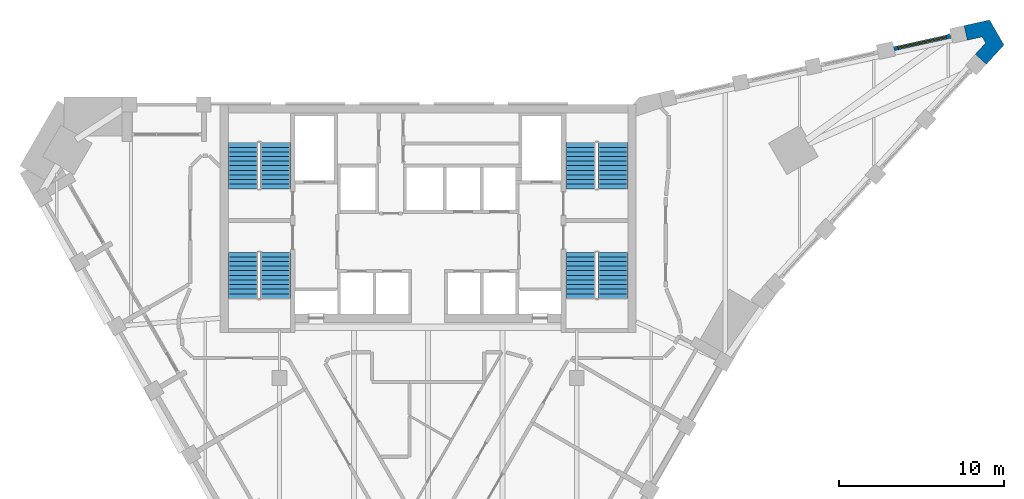
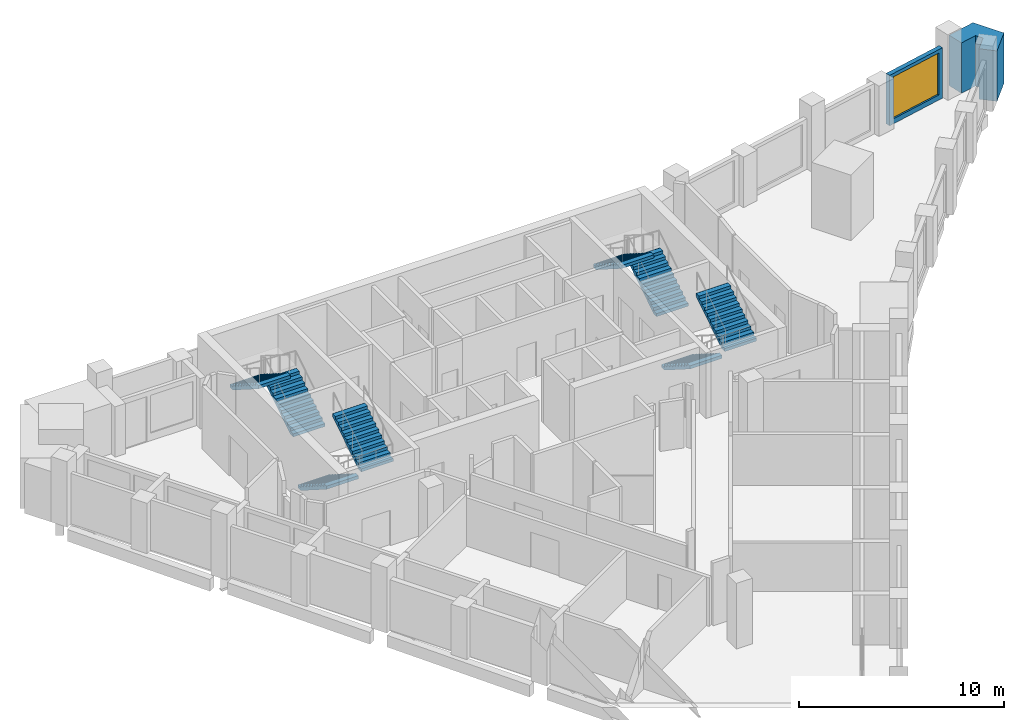
# One storey, part 7 of 8: 8 stair flights, 2 walls, 1 window, 1 opening, 4 elements without a shape of their own.
"""IFC4 building model written with IfcOpenShell, lengths in metres."""

from ifc_helpers import new_model, si_unit, direction, frame, frame_2d, origin, place, context, subcontext, project, spatial, polyline, rectangle, outline, extrude, faceted_brep, source, transform, mapped, material, layer, layer_set, type_object, element, fill, aggregate, save


model = new_model("IFC4")

# Units and contexts
model_context = context("Model", 3, precision=1e-05, world=origin(), true_north=direction((0.0, 1.0)))
body_context = subcontext(model_context, "Body", "Model", "MODEL_VIEW")
ifc_project = project(units=[si_unit("LENGTHUNIT", "METRE"), si_unit("AREAUNIT", "SQUARE_METRE"), si_unit("VOLUMEUNIT", "CUBIC_METRE"), si_unit("PLANEANGLEUNIT", "RADIAN"), si_unit("MASSUNIT", "GRAM", prefix="KILO")], contexts=[model_context])

# Site, building, storey
site_placement = place(None, origin())
site = spatial("IfcSite", under=ifc_project, at=site_placement, CompositionType="ELEMENT")
building_placement = place(site_placement, origin())
building = spatial("IfcBuilding", under=site, at=building_placement, Name="Calabash Gate Tower", CompositionType="ELEMENT")
storey_placement = place(building_placement, frame((0.0, 0.0, 259.89990234375)))
storey = spatial("IfcBuildingStorey", under=building, at=storey_placement, Name="L62", CompositionType="ELEMENT", Elevation=259.89990234375)

# Wall
ifc_material_1 = material(Name="Terracotta brick masonry, exposed face", Category="masonry")
ifc_layer_1 = layer(ifc_material_1, 0.89990234375)
ifc_layer_set_1 = layer_set([ifc_layer_1], Name="Brick end wall 900")
wall_type_1 = type_object("IfcWallType", Name="Brick end wall 900", PredefinedType="SOLIDWALL", material=ifc_layer_set_1)
wall_1_placement = place(storey_placement, origin())
element("IfcWall", 1, at=wall_1_placement, inside=storey, type_object=wall_type_1, Name="Brick end wall S18 2", PredefinedType="SOLIDWALL", context=body_context, shape_type="SweptSolid", body=[
    extrude(outline(polyline([(33.813720703125, 21.496337890625), (34.881591796875, 22.663818359375), (34.0087890625, 24.175048828125), (32.4638671875, 23.834228515625), (32.65771484375, 22.955322265625), (33.55908203125, 23.154296875), (33.7724609375, 22.78466796875), (33.149658203125, 22.103759765625), (33.813720703125, 21.496337890625)])), origin(), (0.0, 0.0, 1.0), 3.0),
])

# Wall, opening, window
ifc_material_2 = material(Name="Aluminium framed window wall with insulated spandrel", Category="aluminium")
ifc_layer_2 = layer(ifc_material_2, 0.25)
ifc_layer_set_2 = layer_set([ifc_layer_2], Name="Prow window wall 250")
wall_type_2 = type_object("IfcWallType", Name="Prow window wall 250", PredefinedType="ELEMENTEDWALL", material=ifc_layer_set_2)
wall_2_placement = place(storey_placement, frame((31.633056640625, 23.190185546875, 0.0), z_axis=(0.0, 0.0, 1.0), x_axis=(-0.976509313763, -0.215475196101, 0.0)))
wall_2 = element("IfcWall", 2, at=wall_2_placement, inside=storey, type_object=wall_type_2, Name="Prow window wall S18 wedge5.1", PredefinedType="ELEMENTEDWALL", context=body_context, shape_type="SweptSolid", body=[
    extrude(rectangle(XDim=3.5, YDim=0.25, at=frame_2d((1.75, 0.0))), origin(), (0.0, 0.0, 1.0), 3.0),
])
opening_placement = place(wall_2_placement, frame((0.25, 0.0, 0.300048828125)))
opening = element("IfcOpeningElement", 3, at=opening_placement, cuts=wall_2, Name="Opening WP2", PredefinedType="OPENING", context=body_context, shape_type="SweptSolid", body=[
    extrude(rectangle(XDim=3.0, YDim=2.5, at=frame_2d((1.5, 1.25))), frame((0.0, 0.135009765625, 0.0), z_axis=(0.0, -1.0, 0.0), x_axis=(1.0, 0.0, 0.0)), (0.0, 0.0, 1.0), 0.27001953125),
])
ifc_material_3 = material(Name="Anodised aluminium frame, bronze finish, impact-rated laminated clear glazing", Category="aluminium")
window_type = type_object("IfcWindowType", Name="Window WP2 3000x2500", PartitioningType="DOUBLE_PANEL_VERTICAL", PredefinedType="WINDOW", material=ifc_material_3)
window_placement = place(opening_placement, origin())
window = element("IfcWindow", 4, at=window_placement, inside=storey, type_object=window_type, Name="Prow window WP2 S18 wedge5.1", OverallHeight=2.5, OverallWidth=3.0, PartitioningType="SINGLE_PANEL", PredefinedType="WINDOW", context=body_context, shape_type="SweptSolid", body=[
    extrude(rectangle(XDim=3.0, YDim=2.5, at=frame_2d((1.5, 1.25))), frame((0.0, 0.030029296875, 0.0), z_axis=(0.0, -1.0, 0.0), x_axis=(1.0, 0.0, 0.0)), (0.0, 0.0, 1.0), 0.06005859375),
])
fill(opening, window)

# Stair, stair flights
ifc_material_4 = material(Name="Concrete C40/50", Category="concrete")
stair_type = type_object("IfcStairType", Name="Exit stair 22 risers of 177.3 mm", PredefinedType="HALF_TURN_STAIR", material=ifc_material_4)
stair_1_placement = place(storey_placement, origin())
stair_1 = element("IfcStair", 5, at=stair_1_placement, inside=storey, type_object=stair_type, Name="L62 Exit stair ST1", PredefinedType="HALF_TURN_STAIR")
ifc_material_5 = material(Name="Concrete C40/50", Category="concrete")
stair_flight_type = type_object("IfcStairFlightType", Name="Exit stair flight SFL", PredefinedType="STRAIGHT", material=ifc_material_5)
shared_shape = source(origin(), body_context, "Body", "Brep", [
    faceted_brep([(-0.0009765625, -0.89990234375, 0.0), (0.279541015625, -0.89990234375, 0.0), (2.791015625, -0.89990234375, 1.59521484375), (-0.0009765625, 0.89990234375, 0.0), (2.791015625, 0.89990234375, 1.59521484375), (0.279541015625, 0.89990234375, 0.0), (2.791015625, -0.89990234375, 1.78466796875), (2.7900390625, -0.89990234375, 1.78466796875), (2.7900390625, 0.89990234375, 1.78466796875), (2.791015625, 0.89990234375, 1.78466796875), (2.7900390625, -0.89990234375, 1.772705078125), (2.7900390625, 0.89990234375, 1.772705078125), (2.510986328125, -0.89990234375, 1.772705078125), (2.510986328125, 0.89990234375, 1.772705078125), (2.510986328125, -0.89990234375, 1.595458984375), (2.510986328125, 0.89990234375, 1.595458984375), (2.23193359375, -0.89990234375, 1.595458984375), (2.23193359375, 0.89990234375, 1.595458984375), (2.23193359375, -0.89990234375, 1.418212890625), (2.23193359375, 0.89990234375, 1.418212890625), (1.952880859375, -0.89990234375, 1.418212890625), (1.952880859375, -0.89990234375, 1.240966796875), (1.952880859375, 0.89990234375, 1.240966796875), (1.952880859375, 0.89990234375, 1.418212890625), (1.674072265625, -0.89990234375, 1.240966796875), (1.674072265625, -0.89990234375, 1.063720703125), (1.674072265625, 0.89990234375, 1.063720703125), (1.674072265625, 0.89990234375, 1.240966796875), (1.39501953125, -0.89990234375, 1.063720703125), (1.39501953125, -0.89990234375, 0.886474609375), (1.39501953125, 0.89990234375, 0.886474609375), (1.39501953125, 0.89990234375, 1.063720703125), (1.115966796875, -0.89990234375, 0.886474609375), (1.115966796875, -0.89990234375, 0.708984375), (1.115966796875, 0.89990234375, 0.708984375), (1.115966796875, 0.89990234375, 0.886474609375), (0.8369140625, -0.89990234375, 0.708984375), (0.8369140625, -0.89990234375, 0.53173828125), (0.8369140625, 0.89990234375, 0.53173828125), (0.8369140625, 0.89990234375, 0.708984375), (0.55810546875, -0.89990234375, 0.53173828125), (0.55810546875, -0.89990234375, 0.3544921875), (0.55810546875, 0.89990234375, 0.3544921875), (0.55810546875, 0.89990234375, 0.53173828125), (0.279052734375, -0.89990234375, 0.3544921875), (0.279052734375, -0.89990234375, 0.17724609375), (0.279052734375, 0.89990234375, 0.17724609375), (0.279052734375, 0.89990234375, 0.3544921875), (-0.0009765625, -0.89990234375, 0.17724609375), (-0.0009765625, 0.89990234375, 0.17724609375), (0.279541015625, -0.360107421875, 0.0), (2.791015625, -0.360107421875, 1.59521484375), (0.279541015625, 0.0, 0.0), (2.791015625, 0.0, 1.59521484375), (0.279541015625, 0.360107421875, 0.0), (2.791015625, 0.360107421875, 1.59521484375), (2.791015625, -0.360107421875, 1.78466796875), (2.791015625, 0.0, 1.78466796875), (2.791015625, 0.360107421875, 1.78466796875), (2.7900390625, -0.360107421875, 1.78466796875), (2.7900390625, 0.0, 1.78466796875), (2.7900390625, 0.360107421875, 1.78466796875), (2.7900390625, -0.360107421875, 1.772705078125), (2.7900390625, 0.0, 1.772705078125), (2.7900390625, 0.360107421875, 1.772705078125), (2.510986328125, -0.360107421875, 1.772705078125), (2.510986328125, 0.0, 1.772705078125), (2.510986328125, 0.360107421875, 1.772705078125), (2.510986328125, -0.360107421875, 1.595458984375), (2.510986328125, 0.0, 1.595458984375), (2.510986328125, 0.360107421875, 1.595458984375), (2.23193359375, -0.360107421875, 1.595458984375), (2.23193359375, 0.0, 1.595458984375), (2.23193359375, 0.360107421875, 1.595458984375), (2.23193359375, -0.360107421875, 1.418212890625), (2.23193359375, 0.0, 1.418212890625), (2.23193359375, 0.360107421875, 1.418212890625), (1.952880859375, -0.360107421875, 1.418212890625), (1.952880859375, 0.0, 1.418212890625), (1.952880859375, 0.360107421875, 1.418212890625), (1.952880859375, -0.360107421875, 1.240966796875), (1.952880859375, 0.0, 1.240966796875), (1.952880859375, 0.360107421875, 1.240966796875), (1.674072265625, -0.360107421875, 1.240966796875), (1.674072265625, 0.0, 1.240966796875), (1.674072265625, 0.360107421875, 1.240966796875), (1.674072265625, -0.360107421875, 1.063720703125), (1.674072265625, 0.0, 1.063720703125), (1.674072265625, 0.360107421875, 1.063720703125), (1.39501953125, -0.360107421875, 1.063720703125), (1.39501953125, 0.0, 1.063720703125), (1.39501953125, 0.360107421875, 1.063720703125), (1.39501953125, -0.360107421875, 0.886474609375), (1.39501953125, 0.0, 0.886474609375), (1.39501953125, 0.360107421875, 0.886474609375), (1.115966796875, -0.360107421875, 0.886474609375), (1.115966796875, 0.0, 0.886474609375), (1.115966796875, 0.360107421875, 0.886474609375), (1.115966796875, -0.360107421875, 0.708984375), (1.115966796875, 0.0, 0.708984375), (1.115966796875, 0.360107421875, 0.708984375), (0.8369140625, -0.360107421875, 0.708984375), (0.8369140625, 0.0, 0.708984375), (0.8369140625, 0.360107421875, 0.708984375), (0.8369140625, -0.360107421875, 0.53173828125), (0.8369140625, 0.0, 0.53173828125), (0.8369140625, 0.360107421875, 0.53173828125), (0.55810546875, -0.360107421875, 0.53173828125), (0.55810546875, 0.0, 0.53173828125), (0.55810546875, 0.360107421875, 0.53173828125), (0.55810546875, -0.360107421875, 0.3544921875), (0.55810546875, 0.0, 0.3544921875), (0.55810546875, 0.360107421875, 0.3544921875), (0.279052734375, -0.360107421875, 0.3544921875), (0.279052734375, 0.0, 0.3544921875), (0.279052734375, 0.360107421875, 0.3544921875), (0.279052734375, -0.360107421875, 0.17724609375), (0.279052734375, 0.0, 0.17724609375), (0.279052734375, 0.360107421875, 0.17724609375), (-0.0009765625, -0.360107421875, 0.17724609375), (-0.0009765625, 0.0, 0.17724609375), (-0.0009765625, 0.360107421875, 0.17724609375), (-0.0009765625, -0.360107421875, 0.0), (-0.0009765625, 0.0, 0.0), (-0.0009765625, 0.360107421875, 0.0)], [[[0, 1, 2]], [[3, 4, 5]], [[2, 6, 7]], [[4, 8, 9]], [[2, 7, 10]], [[4, 11, 8]], [[2, 10, 12]], [[4, 13, 11]], [[2, 12, 14]], [[4, 15, 13]], [[2, 14, 16]], [[4, 17, 15]], [[2, 16, 18]], [[4, 19, 17]], [[18, 20, 21]], [[19, 22, 23]], [[2, 18, 21]], [[4, 22, 19]], [[21, 24, 25]], [[22, 26, 27]], [[2, 21, 25]], [[4, 26, 22]], [[25, 28, 29]], [[26, 30, 31]], [[2, 25, 29]], [[4, 30, 26]], [[29, 32, 33]], [[30, 34, 35]], [[2, 29, 33]], [[4, 34, 30]], [[33, 36, 37]], [[34, 38, 39]], [[2, 33, 37]], [[4, 38, 34]], [[37, 40, 41]], [[38, 42, 43]], [[2, 37, 41]], [[4, 42, 38]], [[41, 44, 45]], [[42, 46, 47]], [[2, 41, 45]], [[4, 46, 42]], [[0, 2, 45]], [[3, 46, 4]], [[45, 48, 0]], [[46, 3, 49]], [[1, 50, 2]], [[50, 51, 2]], [[50, 52, 51]], [[52, 53, 51]], [[52, 54, 55]], [[52, 55, 53]], [[54, 5, 4]], [[54, 4, 55]], [[2, 51, 6]], [[51, 56, 6]], [[51, 53, 56]], [[53, 57, 56]], [[53, 55, 58]], [[53, 58, 57]], [[55, 4, 9]], [[55, 9, 58]], [[6, 56, 7]], [[56, 59, 7]], [[56, 57, 59]], [[57, 60, 59]], [[57, 58, 61]], [[57, 61, 60]], [[58, 9, 8]], [[58, 8, 61]], [[7, 59, 10]], [[59, 62, 10]], [[59, 60, 62]], [[60, 63, 62]], [[60, 61, 64]], [[60, 64, 63]], [[61, 8, 11]], [[61, 11, 64]], [[10, 62, 12]], [[62, 65, 12]], [[62, 63, 65]], [[63, 66, 65]], [[63, 64, 67]], [[63, 67, 66]], [[64, 11, 13]], [[64, 13, 67]], [[12, 65, 14]], [[65, 68, 14]], [[65, 66, 68]], [[66, 69, 68]], [[66, 67, 70]], [[66, 70, 69]], [[67, 13, 15]], [[67, 15, 70]], [[14, 68, 16]], [[68, 71, 16]], [[68, 69, 71]], [[69, 72, 71]], [[69, 70, 73]], [[69, 73, 72]], [[70, 15, 17]], [[70, 17, 73]], [[16, 71, 18]], [[71, 74, 18]], [[71, 72, 74]], [[72, 75, 74]], [[72, 73, 76]], [[72, 76, 75]], [[73, 17, 19]], [[73, 19, 76]], [[18, 74, 20]], [[74, 77, 20]], [[74, 75, 77]], [[75, 78, 77]], [[75, 76, 79]], [[75, 79, 78]], [[76, 19, 23]], [[76, 23, 79]], [[20, 77, 21]], [[77, 80, 21]], [[77, 78, 80]], [[78, 81, 80]], [[78, 79, 82]], [[78, 82, 81]], [[79, 23, 22]], [[79, 22, 82]], [[21, 80, 24]], [[80, 83, 24]], [[80, 81, 83]], [[81, 84, 83]], [[81, 82, 85]], [[81, 85, 84]], [[82, 22, 27]], [[82, 27, 85]], [[24, 83, 25]], [[83, 86, 25]], [[83, 84, 86]], [[84, 87, 86]], [[84, 85, 88]], [[84, 88, 87]], [[85, 27, 26]], [[85, 26, 88]], [[25, 86, 28]], [[86, 89, 28]], [[86, 87, 89]], [[87, 90, 89]], [[87, 88, 91]], [[87, 91, 90]], [[88, 26, 31]], [[88, 31, 91]], [[28, 89, 29]], [[89, 92, 29]], [[89, 90, 92]], [[90, 93, 92]], [[90, 91, 94]], [[90, 94, 93]], [[91, 31, 30]], [[91, 30, 94]], [[29, 92, 32]], [[92, 95, 32]], [[92, 93, 95]], [[93, 96, 95]], [[93, 94, 97]], [[93, 97, 96]], [[94, 30, 35]], [[94, 35, 97]], [[32, 95, 33]], [[95, 98, 33]], [[95, 96, 98]], [[96, 99, 98]], [[96, 97, 100]], [[96, 100, 99]], [[97, 35, 34]], [[97, 34, 100]], [[33, 98, 36]], [[98, 101, 36]], [[98, 99, 101]], [[99, 102, 101]], [[99, 100, 103]], [[99, 103, 102]], [[100, 34, 39]], [[100, 39, 103]], [[36, 101, 37]], [[101, 104, 37]], [[101, 102, 104]], [[102, 105, 104]], [[102, 103, 106]], [[102, 106, 105]], [[103, 39, 38]], [[103, 38, 106]], [[37, 104, 40]], [[104, 107, 40]], [[104, 105, 107]], [[105, 108, 107]], [[105, 106, 109]], [[105, 109, 108]], [[106, 38, 43]], [[106, 43, 109]], [[40, 107, 41]], [[107, 110, 41]], [[107, 108, 110]], [[108, 111, 110]], [[108, 109, 112]], [[108, 112, 111]], [[109, 43, 42]], [[109, 42, 112]], [[41, 110, 44]], [[110, 113, 44]], [[110, 111, 113]], [[111, 114, 113]], [[111, 112, 115]], [[111, 115, 114]], [[112, 42, 47]], [[112, 47, 115]], [[44, 113, 45]], [[113, 116, 45]], [[113, 114, 116]], [[114, 117, 116]], [[114, 115, 118]], [[114, 118, 117]], [[115, 47, 46]], [[115, 46, 118]], [[45, 116, 48]], [[116, 119, 48]], [[116, 117, 119]], [[117, 120, 119]], [[117, 118, 121]], [[117, 121, 120]], [[118, 46, 49]], [[118, 49, 121]], [[48, 119, 0]], [[119, 122, 0]], [[119, 120, 122]], [[120, 123, 122]], [[120, 121, 124]], [[120, 124, 123]], [[121, 49, 3]], [[121, 3, 124]], [[0, 122, 1]], [[122, 50, 1]], [[122, 123, 50]], [[123, 52, 50]], [[123, 124, 54]], [[123, 54, 52]], [[124, 3, 5]], [[124, 5, 54]]]),
])
stair_flight_1_placement = place(storey_placement, frame((-9.25, 13.95263671875, 0.0), z_axis=(0.0, 0.0, 1.0), x_axis=(0.0, 1.0, 0.0)))
stair_flight_1 = element("IfcStairFlight", 6, at=stair_flight_1_placement, type_object=stair_flight_type, Name="ST1 flight 1", NumberOfRisers=11, NumberOfTreads=10, PredefinedType="STRAIGHT", RiserHeight=0.177272727, TreadLength=0.279, context=body_context, shape_type="MappedRepresentation", body=[
    mapped(shared_shape, transform((0.0, 0.0, 0.0), scale=1.0)),
])
stair_flight_2_placement = place(storey_placement, frame((-11.199951171875, 16.74267578125, 1.9501953125), z_axis=(0.0, 0.0, 1.0), x_axis=(0.0, -1.0, 0.0)))
stair_flight_2 = element("IfcStairFlight", 7, at=stair_flight_2_placement, type_object=stair_flight_type, Name="ST1 flight 2", NumberOfRisers=11, NumberOfTreads=10, PredefinedType="STRAIGHT", RiserHeight=0.177272727, TreadLength=0.279, context=body_context, shape_type="MappedRepresentation", body=[
    mapped(shared_shape, transform((0.0, 0.0, 0.0), scale=1.0)),
])
aggregate(stair_1, [stair_flight_1, stair_flight_2])

stair_2_placement = place(storey_placement, origin())
stair_2 = element("IfcStair", 8, at=stair_2_placement, inside=storey, type_object=stair_type, Name="L62 Exit stair ST2", PredefinedType="HALF_TURN_STAIR")
stair_flight_3_placement = place(storey_placement, frame((-11.199951171875, 10.1025390625, 0.0), z_axis=(0.0, 0.0, 1.0), x_axis=(0.0, -1.0, 0.0)))
stair_flight_3 = element("IfcStairFlight", 9, at=stair_flight_3_placement, type_object=stair_flight_type, Name="ST2 flight 1", NumberOfRisers=11, NumberOfTreads=10, PredefinedType="STRAIGHT", RiserHeight=0.177272727, TreadLength=0.279, context=body_context, shape_type="MappedRepresentation", body=[
    mapped(shared_shape, transform((0.0, 0.0, 0.0), scale=1.0)),
])
stair_flight_4_placement = place(storey_placement, frame((-9.25, 7.3125, 1.9501953125), z_axis=(0.0, 0.0, 1.0), x_axis=(0.0, 1.0, 0.0)))
stair_flight_4 = element("IfcStairFlight", 10, at=stair_flight_4_placement, type_object=stair_flight_type, Name="ST2 flight 2", NumberOfRisers=11, NumberOfTreads=10, PredefinedType="STRAIGHT", RiserHeight=0.177272727, TreadLength=0.279, context=body_context, shape_type="MappedRepresentation", body=[
    mapped(shared_shape, transform((0.0, 0.0, 0.0), scale=1.0)),
])
aggregate(stair_2, [stair_flight_3, stair_flight_4])

stair_3_placement = place(storey_placement, origin())
stair_3 = element("IfcStair", 11, at=stair_3_placement, inside=storey, type_object=stair_type, Name="L62 Exit stair ST3", PredefinedType="HALF_TURN_STAIR")
stair_flight_5_placement = place(storey_placement, frame((11.199951171875, 13.95263671875, 0.0), z_axis=(0.0, 0.0, 1.0), x_axis=(0.0, 1.0, 0.0)))
stair_flight_5 = element("IfcStairFlight", 12, at=stair_flight_5_placement, type_object=stair_flight_type, Name="ST3 flight 1", NumberOfRisers=11, NumberOfTreads=10, PredefinedType="STRAIGHT", RiserHeight=0.177272727, TreadLength=0.279, context=body_context, shape_type="MappedRepresentation", body=[
    mapped(shared_shape, transform((0.0, 0.0, 0.0), scale=1.0)),
])
stair_flight_6_placement = place(storey_placement, frame((9.25, 16.74267578125, 1.9501953125), z_axis=(0.0, 0.0, 1.0), x_axis=(0.0, -1.0, 0.0)))
stair_flight_6 = element("IfcStairFlight", 13, at=stair_flight_6_placement, type_object=stair_flight_type, Name="ST3 flight 2", NumberOfRisers=11, NumberOfTreads=10, PredefinedType="STRAIGHT", RiserHeight=0.177272727, TreadLength=0.279, context=body_context, shape_type="MappedRepresentation", body=[
    mapped(shared_shape, transform((0.0, 0.0, 0.0), scale=1.0)),
])
aggregate(stair_3, [stair_flight_5, stair_flight_6])

stair_4_placement = place(storey_placement, origin())
stair_4 = element("IfcStair", 14, at=stair_4_placement, inside=storey, type_object=stair_type, Name="L62 Exit stair ST4", PredefinedType="HALF_TURN_STAIR")
stair_flight_7_placement = place(storey_placement, frame((9.25, 10.1025390625, 0.0), z_axis=(0.0, 0.0, 1.0), x_axis=(0.0, -1.0, 0.0)))
stair_flight_7 = element("IfcStairFlight", 15, at=stair_flight_7_placement, type_object=stair_flight_type, Name="ST4 flight 1", NumberOfRisers=11, NumberOfTreads=10, PredefinedType="STRAIGHT", RiserHeight=0.177272727, TreadLength=0.279, context=body_context, shape_type="MappedRepresentation", body=[
    mapped(shared_shape, transform((0.0, 0.0, 0.0), scale=1.0)),
])
stair_flight_8_placement = place(storey_placement, frame((11.199951171875, 7.3125, 1.9501953125), z_axis=(0.0, 0.0, 1.0), x_axis=(0.0, 1.0, 0.0)))
stair_flight_8 = element("IfcStairFlight", 16, at=stair_flight_8_placement, type_object=stair_flight_type, Name="ST4 flight 2", NumberOfRisers=11, NumberOfTreads=10, PredefinedType="STRAIGHT", RiserHeight=0.177272727, TreadLength=0.279, context=body_context, shape_type="MappedRepresentation", body=[
    mapped(shared_shape, transform((0.0, 0.0, 0.0), scale=1.0)),
])
aggregate(stair_4, [stair_flight_7, stair_flight_8])

save(model, "model.ifc")
